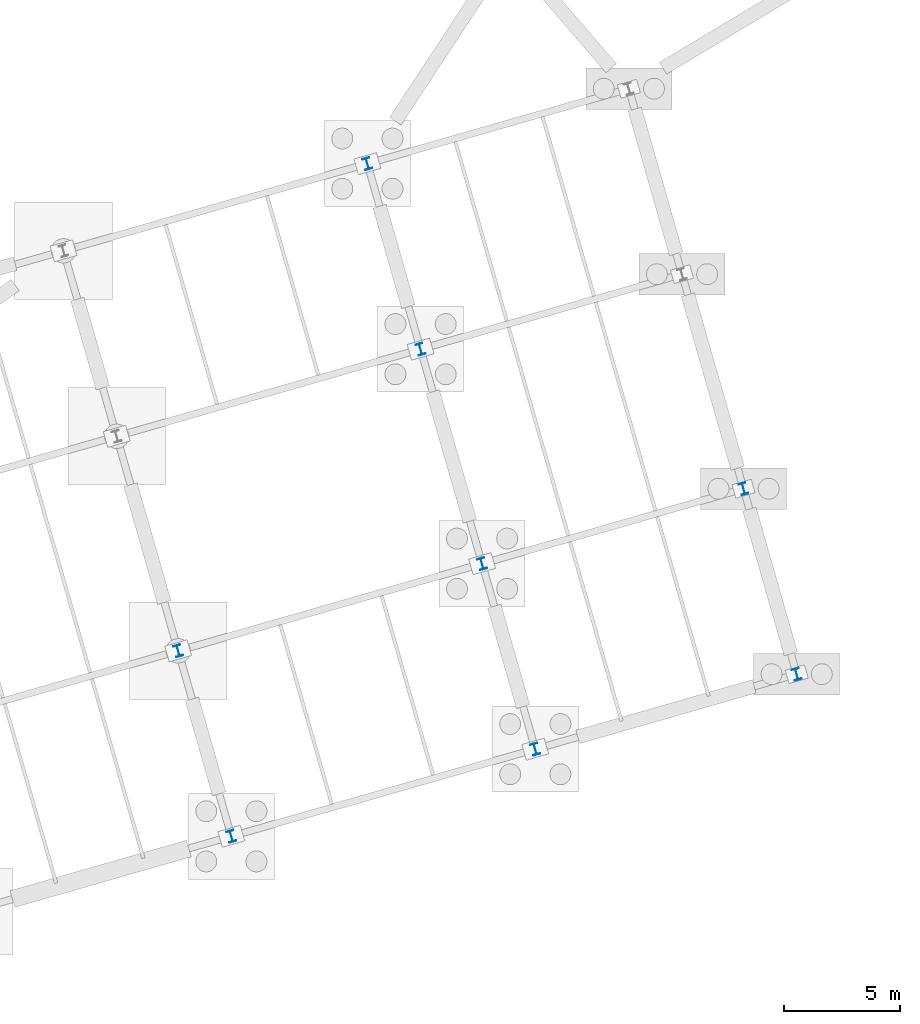
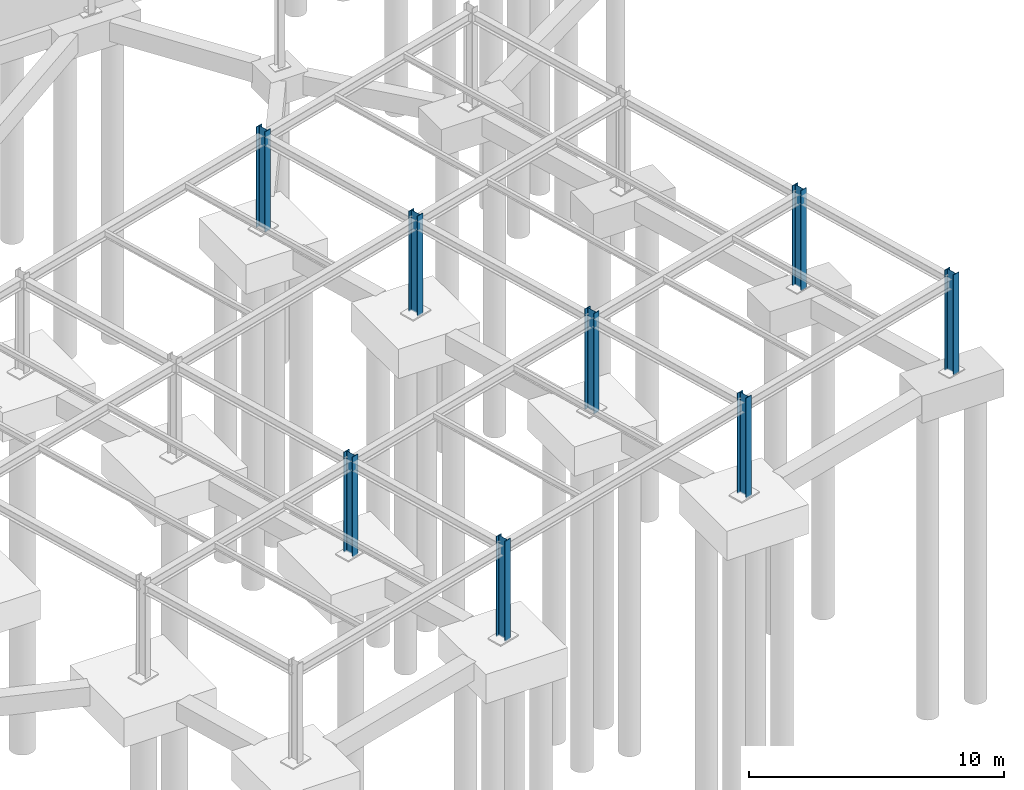
# One storey, part 24 of 50: 8 columns.
"""IFC4 building model written with IfcOpenShell, lengths in metres."""

from ifc_helpers import new_model, si_unit, direction, frame, origin, origin_2d, place, context, subcontext, project, spatial, i_section, extrude, material, material_profile, profile_set, type_object, element, save


model = new_model("IFC4")

# Units and contexts
model_context = context("Model", 3, precision=1e-05, world=origin(), true_north=direction((0.0, 1.0)))
body_context = subcontext(model_context, "Body", "Model", "MODEL_VIEW")
ifc_project = project(units=[si_unit("LENGTHUNIT", "METRE"), si_unit("AREAUNIT", "SQUARE_METRE"), si_unit("VOLUMEUNIT", "CUBIC_METRE"), si_unit("PLANEANGLEUNIT", "RADIAN"), si_unit("MASSUNIT", "GRAM", prefix="KILO")], contexts=[model_context])

# Site, building, storey
site_placement = place(None, origin())
site = spatial("IfcSite", under=ifc_project, at=site_placement, CompositionType="ELEMENT")
building_placement = place(site_placement, origin())
building = spatial("IfcBuilding", under=site, at=building_placement, Name="Varnklinge Art Gallery", CompositionType="ELEMENT")
storey_placement = place(building_placement, frame((0.0, 0.0, -4.800048828125)))
storey = spatial("IfcBuildingStorey", under=building, at=storey_placement, Name="B01", CompositionType="ELEMENT", Elevation=-4.800048828125)

# Columns
ifc_material = material(Name="Steel S355", Category="steel")
ifc_material_profile = material_profile(ifc_material, i_section(OverallWidth=0.300048828125, OverallDepth=0.5, WebThickness=0.014404296875, FlangeThickness=0.028076171875, FilletRadius=0.027099609375, at=origin_2d()), Name="HEB 500")
ifc_profile_set = profile_set([ifc_material_profile], Name="Steel S355")
column_type = type_object("IfcColumnType", Name="COL-05", PredefinedType="COLUMN", material=ifc_profile_set)
for number, where, z_axis, x_axis, name in (
    (1, (136.07421875, 13.033203125, 0.0), (0.0, 0.0, 1.0), (0.961261695938, 0.275637355817, 0.0), "B01 Column V6C-2-1"),
    (2, (133.78662109375, 21.01171875, 0.0), (0.0, 0.0, 1.0), (0.961261695938, 0.275637355817, 0.0), "B01 Column V6C-2-2"),
    (3, (149.1474609375, 16.78173828125, 0.0), (0.0, 0.0, 1.0), (0.961261695938, 0.275637355817, 0.0), "B01 Column V6C-3-1"),
    (4, (146.859619140625, 24.76025390625, 0.0), (0.0, 0.0, 1.0), (0.961261695938, 0.275637355817, 0.0), "B01 Column V6C-3-2"),
    (5, (144.21337890625, 33.98828125, 0.0), (0.0, 0.0, 1.0), (0.961261695938, 0.275637355817, 0.0), "B01 Column V6C-3-3"),
    (6, (141.92578125, 41.966796875, 0.0), (0.0, 0.0, 1.0), (0.961261695938, 0.275637355817, 0.0), "B01 Column V6C-3-4"),
    (7, (160.394287109375, 20.0068359375, 0.0), (0.0, 0.0, 1.0), (0.961261695938, 0.275637355817, 0.0), "B01 Column V6C-4-1"),
    (8, (158.1064453125, 27.985107421875, 0.0), (0.0, 0.0, 1.0), (0.961261695938, 0.275637355817, 0.0), "B01 Column V6C-4-2"),
):
    element("IfcColumn", number, at=place(storey_placement, frame(where, z_axis=z_axis, x_axis=x_axis)), inside=storey, type_object=column_type, Name=name, PredefinedType="COLUMN", context=body_context, shape_type="SweptSolid", body=[
        extrude(i_section(OverallWidth=0.300048828125, OverallDepth=0.5, WebThickness=0.014404296875, FlangeThickness=0.028076171875, FilletRadius=0.027099609375, at=origin_2d()), origin(), (0.0, 0.0, 1.0), 4.800048828125),
    ])

save(model, "model.ifc")
